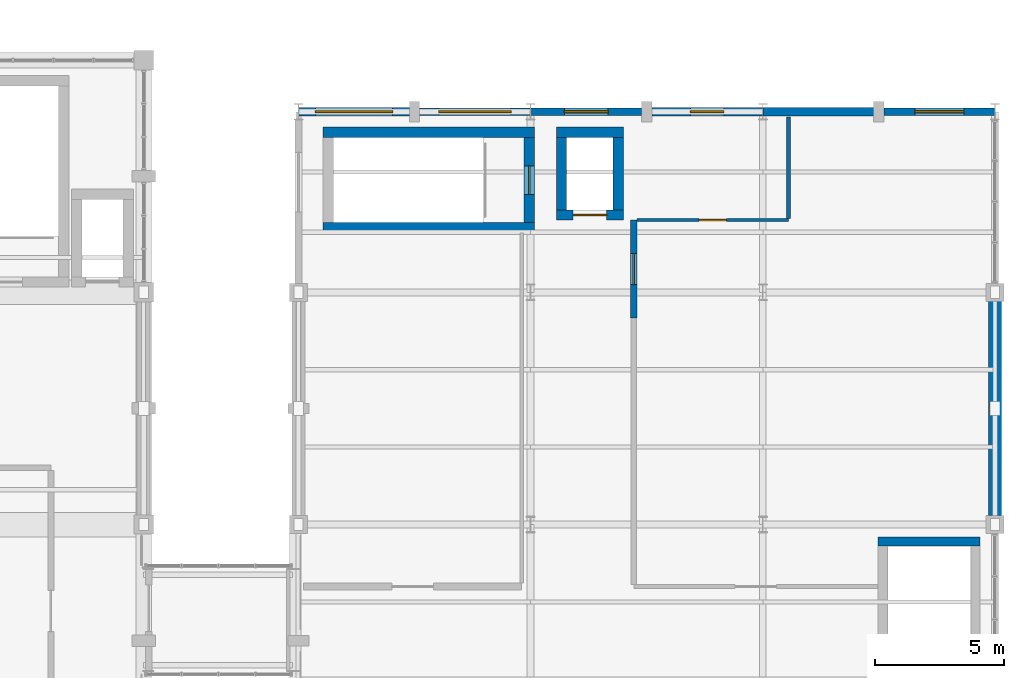
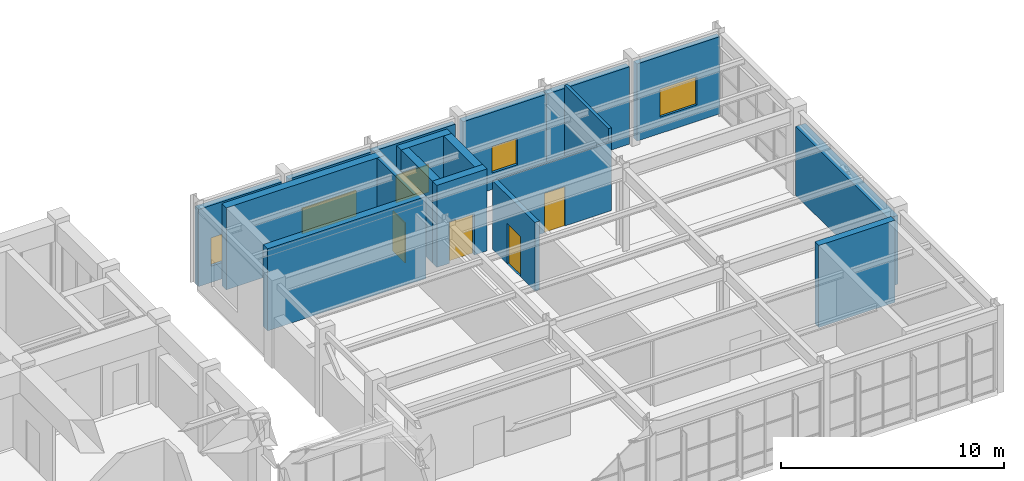
# One storey, part 85 of 99: 18 walls, 5 windows, 4 doors, 9 openings.
"""IFC4 building model written with IfcOpenShell, lengths in metres."""

from ifc_helpers import new_model, si_unit, direction, frame, frame_2d, origin, place, context, subcontext, project, spatial, rectangle, extrude, material, layer, layer_set, type_object, element, fill, save


model = new_model("IFC4")

# Units and contexts
model_context = context("Model", 3, precision=1e-05, world=origin(), true_north=direction((0.0, 1.0)))
body_context = subcontext(model_context, "Body", "Model", "MODEL_VIEW")
ifc_project = project(units=[si_unit("LENGTHUNIT", "METRE"), si_unit("AREAUNIT", "SQUARE_METRE"), si_unit("VOLUMEUNIT", "CUBIC_METRE"), si_unit("PLANEANGLEUNIT", "RADIAN"), si_unit("MASSUNIT", "GRAM", prefix="KILO")], contexts=[model_context])

# Site, building, storey
site_placement = place(None, origin())
site = spatial("IfcSite", under=ifc_project, at=site_placement, CompositionType="ELEMENT")
building_placement = place(site_placement, origin())
building = spatial("IfcBuilding", under=site, at=building_placement, Name="Ventoquebrada Cableway Terminal", CompositionType="ELEMENT")
storey_placement = place(building_placement, frame((0.0, 0.0, 9.60009765625)))
storey = spatial("IfcBuildingStorey", under=building, at=storey_placement, Name="L02", CompositionType="ELEMENT", Elevation=9.60009765625)

# Wall
ifc_material_1 = material(Name="Concrete C40/50", Category="concrete")
ifc_layer_1 = layer(ifc_material_1, 0.39990234375)
ifc_layer_set_1 = layer_set([ifc_layer_1], Name="Concrete C40/50")
wall_type_1 = type_object("IfcWallType", Name="WL-CR1", PredefinedType="SHEAR", material=ifc_layer_set_1)
wall_1_placement = place(storey_placement, frame((129.949951171875, 97.5, 0.0), z_axis=(0.0, 0.0, 1.0), x_axis=(1.0, 0.0, 0.0)))
element("IfcWall", 1, at=wall_1_placement, inside=storey, type_object=wall_type_1, Name="Core shear wall IW-0177", PredefinedType="SHEAR", context=body_context, shape_type="SweptSolid", body=[
    extrude(rectangle(XDim=8.199951171875, YDim=0.39990234375, at=frame_2d((4.10009765625, 0.0))), origin(), (0.0, 0.0, 1.0), 4.489990234375),
])

# Wall, opening, door
wall_2_placement = place(storey_placement, frame((137.949951171875, 97.699951171875, 0.0), z_axis=(0.0, 0.0, 1.0), x_axis=(0.0, 1.0, 0.0)))
wall_2 = element("IfcWall", 2, at=wall_2_placement, inside=storey, type_object=wall_type_1, Name="Core shear wall IW-0178", PredefinedType="SHEAR", context=body_context, shape_type="SweptSolid", body=[
    extrude(rectangle(XDim=3.300048828125, YDim=0.39990234375, at=frame_2d((1.64990234375, 0.0))), origin(), (0.0, 0.0, 1.0), 4.489990234375),
])
opening_1_placement = place(wall_2_placement, frame((1.10009765625, 0.0, 0.0)))
opening_1 = element("IfcOpeningElement", 3, at=opening_1_placement, cuts=wall_2, Name="Opening D-022", PredefinedType="OPENING", context=body_context, shape_type="SweptSolid", body=[
    extrude(rectangle(XDim=1.10009765625, YDim=2.199951171875, at=frame_2d((0.550048828125, 1.10009765625))), frame((0.0, 0.2099609375, 0.0), z_axis=(0.0, -1.0, 0.0), x_axis=(1.0, 0.0, 0.0)), (0.0, 0.0, 1.0), 0.419921875),
])
ifc_material_2 = material(Name="Galvanized fire-rated steel door assembly", Category="steel")
door_type_1 = type_object("IfcDoorType", Name="DT-IN05", OperationType="SINGLE_SWING_LEFT", PredefinedType="DOOR", material=ifc_material_2)
door_1_placement = place(opening_1_placement, origin())
door_1 = element("IfcDoor", 4, at=door_1_placement, inside=storey, type_object=door_type_1, Name="Core K5-S stair fire door D-022", OperationType="SINGLE_SWING_LEFT", OverallHeight=2.199951171875, OverallWidth=1.10009765625, PredefinedType="DOOR", context=body_context, shape_type="SweptSolid", body=[
    extrude(rectangle(XDim=1.10009765625, YDim=2.199951171875, at=frame_2d((0.550048828125, 1.10009765625))), frame((0.0, 0.02490234375, 0.0), z_axis=(0.0, -1.0, 0.0), x_axis=(1.0, 0.0, 0.0)), (0.0, 0.0, 1.0), 0.050048828125),
])
fill(opening_1, door_1)

# Wall
wall_3_placement = place(storey_placement, frame((138.14990234375, 101.199951171875, 0.0), z_axis=(0.0, 0.0, 1.0), x_axis=(-1.0, 0.0, 0.0)))
element("IfcWall", 5, at=wall_3_placement, inside=storey, type_object=wall_type_1, Name="Core shear wall IW-0179", PredefinedType="SHEAR", context=body_context, shape_type="SweptSolid", body=[
    extrude(rectangle(XDim=8.199951171875, YDim=0.39990234375, at=frame_2d((4.10009765625, 0.0))), origin(), (0.0, 0.0, 1.0), 4.489990234375),
])

# Wall, opening, door
wall_4_placement = place(storey_placement, frame((139.0, 98.0, 0.0), z_axis=(0.0, 0.0, 1.0), x_axis=(1.0, 0.0, 0.0)))
wall_4 = element("IfcWall", 6, at=wall_4_placement, inside=storey, type_object=wall_type_1, Name="Core shear wall IW-0181", PredefinedType="SHEAR", context=body_context, shape_type="SweptSolid", body=[
    extrude(rectangle(XDim=2.60009765625, YDim=0.39990234375, at=frame_2d((1.300048828125, 0.0))), origin(), (0.0, 0.0, 1.0), 4.489990234375),
])
opening_2_placement = place(wall_4_placement, frame((0.64990234375, 0.0, 0.0)))
opening_2 = element("IfcOpeningElement", 7, at=opening_2_placement, cuts=wall_4, Name="Opening LD-022", PredefinedType="OPENING", context=body_context, shape_type="SweptSolid", body=[
    extrude(rectangle(XDim=1.300048828125, YDim=2.25, at=frame_2d((0.64990234375, 1.125))), frame((0.0, 0.2099609375, 0.0), z_axis=(0.0, -1.0, 0.0), x_axis=(1.0, 0.0, 0.0)), (0.0, 0.0, 1.0), 0.419921875),
])
ifc_material_3 = material(Name="Brushed stainless steel Grade 316", Category="steel")
door_type_2 = type_object("IfcDoorType", Name="DT-LD02", OperationType="SLIDING_TO_RIGHT", PredefinedType="DOOR", material=ifc_material_3)
door_2_placement = place(opening_2_placement, origin())
door_2 = element("IfcDoor", 8, at=door_2_placement, inside=storey, type_object=door_type_2, Name="Lift landing sliding door LD-022", OperationType="SLIDING_TO_LEFT", OverallHeight=2.25, OverallWidth=1.300048828125, PredefinedType="DOOR", context=body_context, shape_type="SweptSolid", body=[
    extrude(rectangle(XDim=1.300048828125, YDim=2.25, at=frame_2d((0.64990234375, 1.125))), frame((0.0, 0.02490234375, 0.0), z_axis=(0.0, -1.0, 0.0), x_axis=(1.0, 0.0, 0.0)), (0.0, 0.0, 1.0), 0.050048828125),
])
fill(opening_2, door_2)

# Walls
wall_5_placement = place(storey_placement, frame((141.39990234375, 98.199951171875, 0.0), z_axis=(0.0, 0.0, 1.0), x_axis=(0.0, 1.0, 0.0)))
element("IfcWall", 9, at=wall_5_placement, inside=storey, type_object=wall_type_1, Name="Core shear wall IW-0182", PredefinedType="SHEAR", context=body_context, shape_type="SweptSolid", body=[
    extrude(rectangle(XDim=2.800048828125, YDim=0.39990234375, at=frame_2d((1.39990234375, 0.0))), origin(), (0.0, 0.0, 1.0), 4.489990234375),
])
wall_6_placement = place(storey_placement, frame((141.60009765625, 101.199951171875, 0.0), z_axis=(0.0, 0.0, 1.0), x_axis=(-1.0, 0.0, 0.0)))
element("IfcWall", 10, at=wall_6_placement, inside=storey, type_object=wall_type_1, Name="Core shear wall IW-0183", PredefinedType="SHEAR", context=body_context, shape_type="SweptSolid", body=[
    extrude(rectangle(XDim=2.60009765625, YDim=0.39990234375, at=frame_2d((1.300048828125, 0.0))), origin(), (0.0, 0.0, 1.0), 4.489990234375),
])
wall_7_placement = place(storey_placement, frame((139.199951171875, 101.0, 0.0), z_axis=(0.0, 0.0, 1.0), x_axis=(0.0, -1.0, 0.0)))
element("IfcWall", 11, at=wall_7_placement, inside=storey, type_object=wall_type_1, Name="Core shear wall IW-0184", PredefinedType="SHEAR", context=body_context, shape_type="SweptSolid", body=[
    extrude(rectangle(XDim=2.800048828125, YDim=0.39990234375, at=frame_2d((1.39990234375, 0.0))), origin(), (0.0, 0.0, 1.0), 4.489990234375),
])

# Wall, opening, window
ifc_material_4 = material(Name="Precast architectural concrete C40/50", Category="concrete")
ifc_layer_2 = layer(ifc_material_4, 0.280029296875)
ifc_layer_set_2 = layer_set([ifc_layer_2], Name="Precast architectural concrete C40/50")
wall_type_2 = type_object("IfcWallType", Name="WL-EX1", PredefinedType="SOLIDWALL", material=ifc_layer_set_2)
wall_8_placement = place(storey_placement, frame((137.99609375, 102.0, 0.0), z_axis=(0.0, 0.0, 1.0), x_axis=(-1.0, 0.0, 0.0)))
wall_8 = element("IfcWall", 12, at=wall_8_placement, inside=storey, type_object=wall_type_2, Name="Exterior architectural wall EW-0274", PredefinedType="SOLIDWALL", context=body_context, shape_type="SweptSolid", body=[
    extrude(rectangle(XDim=4.301025390625, YDim=0.280029296875, at=frame_2d((2.150390625, 0.0))), origin(), (0.0, 0.0, 1.0), 4.224853515625),
])
opening_3_placement = place(wall_8_placement, frame((0.7509765625, 0.0, 0.89990234375)))
opening_3 = element("IfcOpeningElement", 13, at=opening_3_placement, cuts=wall_8, Name="Opening WN-153", PredefinedType="OPENING", context=body_context, shape_type="SweptSolid", body=[
    extrude(rectangle(XDim=2.800048828125, YDim=1.39990234375, at=frame_2d((1.39990234375, 0.699951171875))), frame((0.0, 0.14990234375, 0.0), z_axis=(0.0, -1.0, 0.0), x_axis=(1.0, 0.0, 0.0)), (0.0, 0.0, 1.0), 0.300048828125),
])
ifc_material_5 = material(Name="Double low-e laminated safety glazing", Category="glass")
window_type_1 = type_object("IfcWindowType", Name="WT-13", PartitioningType="SINGLE_PANEL", PredefinedType="WINDOW", material=ifc_material_5)
window_1_placement = place(opening_3_placement, origin())
window_1 = element("IfcWindow", 14, at=window_1_placement, inside=storey, type_object=window_type_1, Name="Architectural punched window WN-153", OverallHeight=1.39990234375, OverallWidth=2.800048828125, PartitioningType="SINGLE_PANEL", PredefinedType="WINDOW", context=body_context, shape_type="SweptSolid", body=[
    extrude(rectangle(XDim=2.800048828125, YDim=1.39990234375, at=frame_2d((1.39990234375, 0.699951171875))), frame((0.0, 0.030029296875, 0.0), z_axis=(0.0, -1.0, 0.0), x_axis=(1.0, 0.0, 0.0)), (0.0, 0.0, 1.0), 0.06005859375),
])
fill(opening_3, window_1)

wall_9_placement = place(storey_placement, frame((142.304931640625, 102.0, 0.0), z_axis=(0.0, 0.0, 1.0), x_axis=(-1.0, 0.0, 0.0)))
wall_9 = element("IfcWall", 15, at=wall_9_placement, inside=storey, type_object=wall_type_2, Name="Exterior architectural wall EW-0277", PredefinedType="SOLIDWALL", context=body_context, shape_type="SweptSolid", body=[
    extrude(rectangle(XDim=4.301025390625, YDim=0.280029296875, at=frame_2d((2.150390625, 0.0))), origin(), (0.0, 0.0, 1.0), 4.224853515625),
])
opening_4_placement = place(wall_9_placement, frame((1.301025390625, 0.0, 0.89990234375)))
opening_4 = element("IfcOpeningElement", 16, at=opening_4_placement, cuts=wall_9, Name="Opening WN-156", PredefinedType="OPENING", context=body_context, shape_type="SweptSolid", body=[
    extrude(rectangle(XDim=1.699951171875, YDim=1.5, at=frame_2d((0.85009765625, 0.75))), frame((0.0, 0.14990234375, 0.0), z_axis=(0.0, -1.0, 0.0), x_axis=(1.0, 0.0, 0.0)), (0.0, 0.0, 1.0), 0.300048828125),
])
window_type_2 = type_object("IfcWindowType", Name="WT-16", PartitioningType="SINGLE_PANEL", PredefinedType="WINDOW", material=ifc_material_5)
window_2_placement = place(opening_4_placement, origin())
window_2 = element("IfcWindow", 17, at=window_2_placement, inside=storey, type_object=window_type_2, Name="Architectural punched window WN-156", OverallHeight=1.5, OverallWidth=1.699951171875, PartitioningType="SINGLE_PANEL", PredefinedType="WINDOW", context=body_context, shape_type="SweptSolid", body=[
    extrude(rectangle(XDim=1.699951171875, YDim=1.5, at=frame_2d((0.85009765625, 0.75))), frame((0.0, 0.030029296875, 0.0), z_axis=(0.0, -1.0, 0.0), x_axis=(1.0, 0.0, 0.0)), (0.0, 0.0, 1.0), 0.06005859375),
])
fill(opening_4, window_2)

wall_10_placement = place(storey_placement, frame((155.99609375, 102.0, 0.0), z_axis=(0.0, 0.0, 1.0), x_axis=(-1.0, 0.0, 0.0)))
wall_10 = element("IfcWall", 18, at=wall_10_placement, inside=storey, type_object=wall_type_2, Name="Exterior architectural wall EW-0278", PredefinedType="SOLIDWALL", context=body_context, shape_type="SweptSolid", body=[
    extrude(rectangle(XDim=4.301025390625, YDim=0.280029296875, at=frame_2d((2.150390625, 0.0))), origin(), (0.0, 0.0, 1.0), 4.224853515625),
])
opening_5_placement = place(wall_10_placement, frame((1.200927734375, 0.0, 0.89990234375)))
opening_5 = element("IfcOpeningElement", 19, at=opening_5_placement, cuts=wall_10, Name="Opening WN-157", PredefinedType="OPENING", context=body_context, shape_type="SweptSolid", body=[
    extrude(rectangle(XDim=1.89990234375, YDim=1.550048828125, at=frame_2d((0.949951171875, 0.77490234375))), frame((0.0, 0.14990234375, 0.0), z_axis=(0.0, -1.0, 0.0), x_axis=(1.0, 0.0, 0.0)), (0.0, 0.0, 1.0), 0.300048828125),
])
window_type_3 = type_object("IfcWindowType", Name="WT-17", PartitioningType="SINGLE_PANEL", PredefinedType="WINDOW", material=ifc_material_5)
window_3_placement = place(opening_5_placement, origin())
window_3 = element("IfcWindow", 20, at=window_3_placement, inside=storey, type_object=window_type_3, Name="Architectural punched window WN-157", OverallHeight=1.550048828125, OverallWidth=1.89990234375, PartitioningType="SINGLE_PANEL", PredefinedType="WINDOW", context=body_context, shape_type="SweptSolid", body=[
    extrude(rectangle(XDim=1.89990234375, YDim=1.550048828125, at=frame_2d((0.949951171875, 0.77490234375))), frame((0.0, 0.030029296875, 0.0), z_axis=(0.0, -1.0, 0.0), x_axis=(1.0, 0.0, 0.0)), (0.0, 0.0, 1.0), 0.06005859375),
])
fill(opening_5, window_3)

ifc_layer_3 = layer(ifc_material_4, 0.320068359375)
ifc_layer_set_3 = layer_set([ifc_layer_3], Name="Precast architectural concrete C40/50")
wall_type_3 = type_object("IfcWallType", Name="WL-EX2", PredefinedType="SOLIDWALL", material=ifc_layer_set_3)
wall_11_placement = place(storey_placement, frame((133.304931640625, 102.0, 0.0), z_axis=(0.0, 0.0, 1.0), x_axis=(-1.0, 0.0, 0.0)))
wall_11 = element("IfcWall", 21, at=wall_11_placement, inside=storey, type_object=wall_type_3, Name="Exterior architectural wall EW-0275", PredefinedType="SOLIDWALL", context=body_context, shape_type="SweptSolid", body=[
    extrude(rectangle(XDim=4.301025390625, YDim=0.320068359375, at=frame_2d((2.150390625, 0.0))), origin(), (0.0, 0.0, 1.0), 4.224853515625),
])
opening_6_placement = place(wall_11_placement, frame((0.65087890625, 0.0, 0.89990234375)))
opening_6 = element("IfcOpeningElement", 22, at=opening_6_placement, cuts=wall_11, Name="Opening WN-154", PredefinedType="OPENING", context=body_context, shape_type="SweptSolid", body=[
    extrude(rectangle(XDim=3.0, YDim=1.550048828125, at=frame_2d((1.5, 0.77490234375))), frame((0.0, 0.169921875, 0.0), z_axis=(0.0, -1.0, 0.0), x_axis=(1.0, 0.0, 0.0)), (0.0, 0.0, 1.0), 0.340087890625),
])
window_type_4 = type_object("IfcWindowType", Name="WT-14", PartitioningType="SINGLE_PANEL", PredefinedType="WINDOW", material=ifc_material_5)
window_4_placement = place(opening_6_placement, origin())
window_4 = element("IfcWindow", 23, at=window_4_placement, inside=storey, type_object=window_type_4, Name="Architectural punched window WN-154", OverallHeight=1.550048828125, OverallWidth=3.0, PartitioningType="SINGLE_PANEL", PredefinedType="WINDOW", context=body_context, shape_type="SweptSolid", body=[
    extrude(rectangle(XDim=3.0, YDim=1.550048828125, at=frame_2d((1.5, 0.77490234375))), frame((0.0, 0.030029296875, 0.0), z_axis=(0.0, -1.0, 0.0), x_axis=(1.0, 0.0, 0.0)), (0.0, 0.0, 1.0), 0.06005859375),
])
fill(opening_6, window_4)

wall_12_placement = place(storey_placement, frame((146.99609375, 102.0, 0.0), z_axis=(0.0, 0.0, 1.0), x_axis=(-1.0, 0.0, 0.0)))
wall_12 = element("IfcWall", 24, at=wall_12_placement, inside=storey, type_object=wall_type_3, Name="Exterior architectural wall EW-0276", PredefinedType="SOLIDWALL", context=body_context, shape_type="SweptSolid", body=[
    extrude(rectangle(XDim=4.301025390625, YDim=0.320068359375, at=frame_2d((2.150390625, 0.0))), origin(), (0.0, 0.0, 1.0), 4.224853515625),
])
opening_7_placement = place(wall_12_placement, frame((1.5009765625, 0.0, 0.89990234375)))
opening_7 = element("IfcOpeningElement", 25, at=opening_7_placement, cuts=wall_12, Name="Opening WN-155", PredefinedType="OPENING", context=body_context, shape_type="SweptSolid", body=[
    extrude(rectangle(XDim=1.300048828125, YDim=1.449951171875, at=frame_2d((0.64990234375, 0.72509765625))), frame((0.0, 0.169921875, 0.0), z_axis=(0.0, -1.0, 0.0), x_axis=(1.0, 0.0, 0.0)), (0.0, 0.0, 1.0), 0.340087890625),
])
window_type_5 = type_object("IfcWindowType", Name="WT-15", PartitioningType="SINGLE_PANEL", PredefinedType="WINDOW", material=ifc_material_5)
window_5_placement = place(opening_7_placement, origin())
window_5 = element("IfcWindow", 26, at=window_5_placement, inside=storey, type_object=window_type_5, Name="Architectural punched window WN-155", OverallHeight=1.449951171875, OverallWidth=1.300048828125, PartitioningType="SINGLE_PANEL", PredefinedType="WINDOW", context=body_context, shape_type="SweptSolid", body=[
    extrude(rectangle(XDim=1.300048828125, YDim=1.449951171875, at=frame_2d((0.64990234375, 0.72509765625))), frame((0.0, 0.030029296875, 0.0), z_axis=(0.0, -1.0, 0.0), x_axis=(1.0, 0.0, 0.0)), (0.0, 0.0, 1.0), 0.06005859375),
])
fill(opening_7, window_5)

# Wall
wall_13_placement = place(storey_placement, frame((151.304931640625, 102.0, 0.0), z_axis=(0.0, 0.0, 1.0), x_axis=(-1.0, 0.0, 0.0)))
element("IfcWall", 27, at=wall_13_placement, inside=storey, type_object=wall_type_3, Name="Exterior architectural wall EW-0279", PredefinedType="SOLIDWALL", context=body_context, shape_type="SweptSolid", body=[
    extrude(rectangle(XDim=4.301025390625, YDim=0.320068359375, at=frame_2d((2.150390625, 0.0))), origin(), (0.0, 0.0, 1.0), 4.224853515625),
])

# Wall, opening, door
ifc_material_6 = material(Name="Fire-rated gypsum partition board on steel framing", Category="steel")
ifc_layer_4 = layer(ifc_material_6, 0.1201171875)
ifc_layer_set_4 = layer_set([ifc_layer_4], Name="Fire-rated gypsum partition board on steel framing")
wall_type_4 = type_object("IfcWallType", Name="WL-PT1", PredefinedType="PARTITIONING", material=ifc_layer_set_4)
wall_14_placement = place(storey_placement, frame((142.1201171875, 97.800048828125, 0.0), z_axis=(0.0, 0.0, 1.0), x_axis=(1.0, 0.0, 0.0)))
wall_14 = element("IfcWall", 28, at=wall_14_placement, inside=storey, type_object=wall_type_4, Name="Interior partition IW-0411", PredefinedType="PARTITIONING", context=body_context, shape_type="SweptSolid", body=[
    extrude(rectangle(XDim=5.8798828125, YDim=0.1201171875, at=frame_2d((2.93994140625, 0.0))), origin(), (0.0, 0.0, 1.0), 3.7529296875),
])
opening_8_placement = place(wall_14_placement, frame((2.4150390625, 0.0, 0.0)))
opening_8 = element("IfcOpeningElement", 29, at=opening_8_placement, cuts=wall_14, Name="Opening D-127", PredefinedType="OPENING", context=body_context, shape_type="SweptSolid", body=[
    extrude(rectangle(XDim=1.050048828125, YDim=2.14990234375, at=frame_2d((0.52490234375, 1.074951171875))), frame((0.0, 0.070068359375, 0.0), z_axis=(0.0, -1.0, 0.0), x_axis=(1.0, 0.0, 0.0)), (0.0, 0.0, 1.0), 0.14013671875),
])
ifc_material_7 = material(Name="Fire-retardant oak acoustic door leaf")
door_type_3 = type_object("IfcDoorType", Name="DT-IN03", OperationType="SINGLE_SWING_LEFT", PredefinedType="DOOR", material=ifc_material_7)
door_3_placement = place(opening_8_placement, origin())
door_3 = element("IfcDoor", 30, at=door_3_placement, inside=storey, type_object=door_type_3, Name="L02 Fleet Crew WC Door D-127", OperationType="SINGLE_SWING_RIGHT", OverallHeight=2.14990234375, OverallWidth=1.050048828125, PredefinedType="DOOR", context=body_context, shape_type="SweptSolid", body=[
    extrude(rectangle(XDim=1.050048828125, YDim=2.14990234375, at=frame_2d((0.52490234375, 1.074951171875))), frame((0.0, 0.02490234375, 0.0), z_axis=(0.0, -1.0, 0.0), x_axis=(1.0, 0.0, 0.0)), (0.0, 0.0, 1.0), 0.050048828125),
])
fill(opening_8, door_3)

ifc_material_8 = material(Name="Autoclaved aerated concrete blockwork", Category="masonry")
ifc_layer_5 = layer(ifc_material_8, 0.2451171875)
ifc_layer_set_5 = layer_set([ifc_layer_5], Name="Autoclaved aerated concrete blockwork")
wall_type_5 = type_object("IfcWallType", Name="WL-PT10", PredefinedType="PARTITIONING", material=ifc_layer_set_5)
wall_15_placement = place(storey_placement, frame((142.0, 94.0, 0.0), z_axis=(0.0, 0.0, 1.0), x_axis=(0.0, 1.0, 0.0)))
wall_15 = element("IfcWall", 31, at=wall_15_placement, inside=storey, type_object=wall_type_5, Name="Interior partition IW-0410", PredefinedType="PARTITIONING", context=body_context, shape_type="SweptSolid", body=[
    extrude(rectangle(XDim=3.800048828125, YDim=0.2451171875, at=frame_2d((1.89990234375, 0.0))), origin(), (0.0, 0.0, 1.0), 3.7529296875),
])
opening_9_placement = place(wall_15_placement, frame((1.300048828125, 0.0, 0.0)))
opening_9 = element("IfcOpeningElement", 32, at=opening_9_placement, cuts=wall_15, Name="Opening D-126", PredefinedType="OPENING", context=body_context, shape_type="SweptSolid", body=[
    extrude(rectangle(XDim=1.199951171875, YDim=2.199951171875, at=frame_2d((0.60009765625, 1.10009765625))), frame((0.0, 0.132568359375, 0.0), z_axis=(0.0, -1.0, 0.0), x_axis=(1.0, 0.0, 0.0)), (0.0, 0.0, 1.0), 0.26513671875),
])
door_type_4 = type_object("IfcDoorType", Name="DT-IN06", OperationType="SINGLE_SWING_RIGHT", PredefinedType="DOOR", material=ifc_material_2)
door_4_placement = place(opening_9_placement, origin())
door_4 = element("IfcDoor", 33, at=door_4_placement, inside=storey, type_object=door_type_4, Name="K5 Upper Lobby Door D-126", OperationType="SINGLE_SWING_LEFT", OverallHeight=2.199951171875, OverallWidth=1.199951171875, PredefinedType="DOOR", context=body_context, shape_type="SweptSolid", body=[
    extrude(rectangle(XDim=1.199951171875, YDim=2.199951171875, at=frame_2d((0.60009765625, 1.10009765625))), frame((0.0, 0.02490234375, 0.0), z_axis=(0.0, -1.0, 0.0), x_axis=(1.0, 0.0, 0.0)), (0.0, 0.0, 1.0), 0.050048828125),
])
fill(opening_9, door_4)

# Walls
ifc_layer_6 = layer(ifc_material_6, 0.14990234375)
ifc_layer_set_6 = layer_set([ifc_layer_6], Name="Fire-rated gypsum partition board on steel framing")
wall_type_6 = type_object("IfcWallType", Name="WL-PT2", PredefinedType="PARTITIONING", material=ifc_layer_set_6)
wall_16_placement = place(storey_placement, frame((148.0, 97.85791015625, 0.0), z_axis=(0.0, 0.0, 1.0), x_axis=(0.0, 1.0, 0.0)))
element("IfcWall", 34, at=wall_16_placement, inside=storey, type_object=wall_type_6, Name="Interior partition IW-0412", PredefinedType="PARTITIONING", context=body_context, shape_type="SweptSolid", body=[
    extrude(rectangle(XDim=3.942138671875, YDim=0.14990234375, at=frame_2d((1.97119140625, 0.0))), origin(), (0.0, 0.0, 1.0), 4.434814453125),
])
ifc_layer_7 = layer(ifc_material_1, 0.35009765625)
ifc_layer_set_7 = layer_set([ifc_layer_7], Name="Concrete C40/50")
wall_type_7 = type_object("IfcWallType", Name="WL-SH1", PredefinedType="SHEAR", material=ifc_layer_set_7)
wall_17_placement = place(storey_placement, frame((155.425048828125, 85.35009765625, 0.0), z_axis=(0.0, 0.0, 1.0), x_axis=(-1.0, 0.0, 0.0)))
element("IfcWall", 35, at=wall_17_placement, inside=storey, type_object=wall_type_7, Name="Core shear wall IW-0259", PredefinedType="SHEAR", context=body_context, shape_type="SweptSolid", body=[
    extrude(rectangle(XDim=3.949951171875, YDim=0.35009765625, at=frame_2d((1.97509765625, 0.0))), origin(), (0.0, 0.0, 1.0), 4.489990234375),
])
ifc_material_9 = material(Name="Concrete C45/55", Category="concrete")
ifc_layer_8 = layer(ifc_material_9, 0.5)
ifc_layer_set_8 = layer_set([ifc_layer_8], Name="Concrete C45/55")
wall_type_8 = type_object("IfcWallType", Name="WL-SH2", PredefinedType="SHEAR", material=ifc_layer_set_8)
wall_18_placement = place(storey_placement, frame((156.0, 86.344970703125, 0.0), z_axis=(0.0, 0.0, 1.0), x_axis=(0.0, 1.0, 0.0)))
element("IfcWall", 36, at=wall_18_placement, inside=storey, type_object=wall_type_8, Name="Exterior architectural wall EW-0273", PredefinedType="SHEAR", context=body_context, shape_type="SweptSolid", body=[
    extrude(rectangle(XDim=8.31005859375, YDim=0.5, at=frame_2d((4.155029296875, 0.0))), origin(), (0.0, 0.0, 1.0), 3.762939453125),
])

save(model, "model.ifc")
